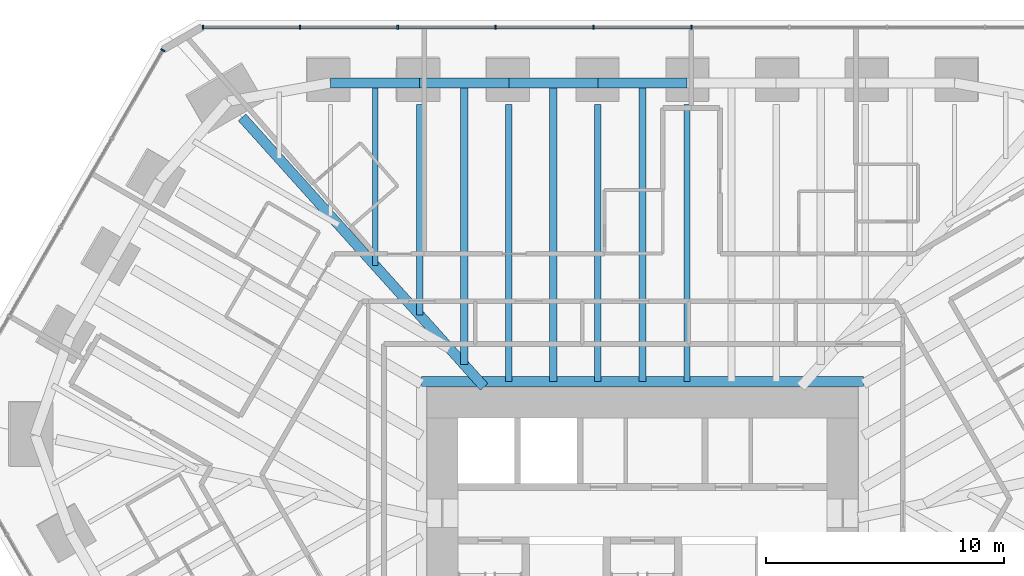
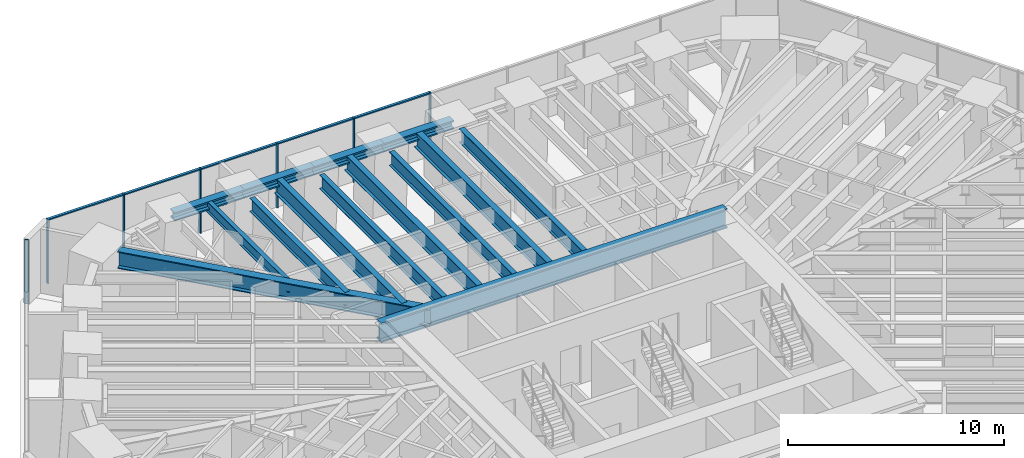
# One storey, part 8 of 17: 14 beams, 12 members, 2 elements without a shape of their own.
"""IFC4 building model written with IfcOpenShell, lengths in metres."""

from ifc_helpers import new_model, si_unit, direction, frame, origin, origin_2d, place, context, subcontext, project, spatial, rectangle, i_section, extrude, material, material_profile, profile_set, type_object, element, aggregate, save


model = new_model("IFC4")

# Units and contexts
model_context = context("Model", 3, precision=1e-05, world=origin(), true_north=direction((0.0, 1.0)))
body_context = subcontext(model_context, "Body", "Model", "MODEL_VIEW")
ifc_project = project(units=[si_unit("LENGTHUNIT", "METRE"), si_unit("AREAUNIT", "SQUARE_METRE"), si_unit("VOLUMEUNIT", "CUBIC_METRE"), si_unit("PLANEANGLEUNIT", "RADIAN"), si_unit("MASSUNIT", "GRAM", prefix="KILO")], contexts=[model_context])

# Site, building, storey
site_placement = place(None, origin())
site = spatial("IfcSite", under=ifc_project, at=site_placement, CompositionType="ELEMENT")
building_placement = place(site_placement, origin())
building = spatial("IfcBuilding", under=site, at=building_placement, Name="Sandreach Pilgrim Tower", CompositionType="ELEMENT")
storey_placement = place(building_placement, frame((0.0, 0.0, 169.0)))
storey = spatial("IfcBuildingStorey", under=building, at=storey_placement, Name="L42", CompositionType="ELEMENT", Elevation=169.0)

# Beams
ifc_material_1 = material(Name="Steel ASTM A913 Grade 65", Category="steel")
ifc_material_profile_1 = material_profile(ifc_material_1, i_section(OverallWidth=0.4267578125, OverallDepth=0.482666015625, WebThickness=0.05126953125, FlangeThickness=0.08154296875, at=origin_2d()), Name="W14X455")
ifc_profile_set_1 = profile_set([ifc_material_profile_1], Name="Steel ASTM A913 Grade 65")
beam_type_1 = type_object("IfcBeamType", Name="Belt truss chord W14X455", PredefinedType="BEAM", material=ifc_profile_set_1)
beam_1_placement = place(storey_placement, frame((-13.089599609375, 20.155517578125, 3.398681640625), z_axis=(1.0, 0.0, 0.0), x_axis=(0.0, 1.0, 0.0)))
element("IfcBeam", 1, at=beam_1_placement, inside=storey, type_object=beam_type_1, Name="BM L42 BTB01", PredefinedType="BEAM", context=body_context, shape_type="SweptSolid", body=[
    extrude(i_section(OverallWidth=0.4267578125, OverallDepth=0.482666015625, WebThickness=0.05126953125, FlangeThickness=0.08154296875, at=origin_2d()), origin(), (0.0, 0.0, 1.0), 3.739990234375),
])
beam_2_placement = place(storey_placement, frame((-9.349609375, 20.155517578125, 3.398681640625), z_axis=(1.0, 0.0, 0.0), x_axis=(0.0, 1.0, 0.0)))
element("IfcBeam", 2, at=beam_2_placement, inside=storey, type_object=beam_type_1, Name="BM L42 BTB02", PredefinedType="BEAM", context=body_context, shape_type="SweptSolid", body=[
    extrude(i_section(OverallWidth=0.4267578125, OverallDepth=0.482666015625, WebThickness=0.05126953125, FlangeThickness=0.08154296875, at=origin_2d()), origin(), (0.0, 0.0, 1.0), 3.73974609375),
])
beam_3_placement = place(storey_placement, frame((-5.60986328125, 20.155517578125, 3.398681640625), z_axis=(1.0, 0.0, 0.0), x_axis=(0.0, 1.0, 0.0)))
element("IfcBeam", 3, at=beam_3_placement, inside=storey, type_object=beam_type_1, Name="BM L42 BTB03", PredefinedType="BEAM", context=body_context, shape_type="SweptSolid", body=[
    extrude(i_section(OverallWidth=0.4267578125, OverallDepth=0.482666015625, WebThickness=0.05126953125, FlangeThickness=0.08154296875, at=origin_2d()), origin(), (0.0, 0.0, 1.0), 3.739990234375),
])
beam_4_placement = place(storey_placement, frame((-1.869873046875, 20.155517578125, 3.398681640625), z_axis=(1.0, 0.0, 0.0), x_axis=(0.0, 1.0, 0.0)))
element("IfcBeam", 4, at=beam_4_placement, inside=storey, type_object=beam_type_1, Name="BM L42 BTB04", PredefinedType="BEAM", context=body_context, shape_type="SweptSolid", body=[
    extrude(i_section(OverallWidth=0.4267578125, OverallDepth=0.482666015625, WebThickness=0.05126953125, FlangeThickness=0.08154296875, at=origin_2d()), origin(), (0.0, 0.0, 1.0), 3.73974609375),
])

# Curtain wall, members
ifc_material_2 = material(Name="Aluminium framed curtain wall", Category="aluminium")
curtain_wall_type = type_object("IfcCurtainWallType", Name="Hotel tower curtain wall", PredefinedType="NOTDEFINED", material=ifc_material_2)
curtain_wall_1_placement = place(storey_placement, origin())
curtain_wall_1 = element("IfcCurtainWall", 5, at=curtain_wall_1_placement, inside=storey, type_object=curtain_wall_type, Name="CW-2 L42 N", PredefinedType="NOTDEFINED")
ifc_material_3 = material(Name="Aluminium extrusion", Category="aluminium")
ifc_material_profile_2 = material_profile(ifc_material_3, rectangle(XDim=0.06494140625, YDim=0.179931640625, at=origin_2d()), Name="CW-2M 65X180")
ifc_profile_set_2 = profile_set([ifc_material_profile_2], Name="Aluminium extrusion")
member_type_1 = type_object("IfcMemberType", Name="CW-2 mullion", PredefinedType="MULLION", material=ifc_profile_set_2)
member_1_placement = place(storey_placement, frame((-18.448974609375, 22.493896484375, 0.0), z_axis=(0.0, 0.0, 1.0), x_axis=(1.0, 0.0, 0.0)))
member_1 = element("IfcMember", 6, at=member_1_placement, type_object=member_type_1, Name="CW-2 mullion 1", PredefinedType="MULLION", context=body_context, shape_type="SweptSolid", body=[
    extrude(rectangle(XDim=0.06494140625, YDim=0.179931640625, at=origin_2d()), origin(), (0.0, 0.0, 1.0), 3.639892578125),
])
member_2_placement = place(storey_placement, frame((-14.37451171875, 22.493896484375, 0.0), z_axis=(0.0, 0.0, 1.0), x_axis=(1.0, 0.0, 0.0)))
member_2 = element("IfcMember", 7, at=member_2_placement, type_object=member_type_1, Name="CW-2 mullion 2", PredefinedType="MULLION", context=body_context, shape_type="SweptSolid", body=[
    extrude(rectangle(XDim=0.06494140625, YDim=0.179931640625, at=origin_2d()), origin(), (0.0, 0.0, 1.0), 3.639892578125),
])
member_3_placement = place(storey_placement, frame((-10.267333984375, 22.493896484375, 0.0), z_axis=(0.0, 0.0, 1.0), x_axis=(1.0, 0.0, 0.0)))
member_3 = element("IfcMember", 8, at=member_3_placement, type_object=member_type_1, Name="CW-2 mullion 3", PredefinedType="MULLION", context=body_context, shape_type="SweptSolid", body=[
    extrude(rectangle(XDim=0.06494140625, YDim=0.179931640625, at=origin_2d()), origin(), (0.0, 0.0, 1.0), 3.639892578125),
])
member_4_placement = place(storey_placement, frame((-6.160400390625, 22.493896484375, 0.0), z_axis=(0.0, 0.0, 1.0), x_axis=(1.0, 0.0, 0.0)))
member_4 = element("IfcMember", 9, at=member_4_placement, type_object=member_type_1, Name="CW-2 mullion 4", PredefinedType="MULLION", context=body_context, shape_type="SweptSolid", body=[
    extrude(rectangle(XDim=0.06494140625, YDim=0.179931640625, at=origin_2d()), origin(), (0.0, 0.0, 1.0), 3.639892578125),
])
member_5_placement = place(storey_placement, frame((-2.053466796875, 22.493896484375, 0.0), z_axis=(0.0, 0.0, 1.0), x_axis=(1.0, 0.0, 0.0)))
member_5 = element("IfcMember", 10, at=member_5_placement, type_object=member_type_1, Name="CW-2 mullion 5", PredefinedType="MULLION", context=body_context, shape_type="SweptSolid", body=[
    extrude(rectangle(XDim=0.06494140625, YDim=0.179931640625, at=origin_2d()), origin(), (0.0, 0.0, 1.0), 3.639892578125),
])
member_6_placement = place(storey_placement, frame((2.053466796875, 22.493896484375, 0.0), z_axis=(0.0, 0.0, 1.0), x_axis=(1.0, 0.0, 0.0)))
member_6 = element("IfcMember", 11, at=member_6_placement, type_object=member_type_1, Name="CW-2 mullion 6", PredefinedType="MULLION", context=body_context, shape_type="SweptSolid", body=[
    extrude(rectangle(XDim=0.06494140625, YDim=0.179931640625, at=origin_2d()), origin(), (0.0, 0.0, 1.0), 3.639892578125),
])

# Curtain wall, member
curtain_wall_2_placement = place(storey_placement, origin())
curtain_wall_2 = element("IfcCurtainWall", 12, at=curtain_wall_2_placement, inside=storey, type_object=curtain_wall_type, Name="CW-2 L42 NW", PredefinedType="NOTDEFINED")
member_7_placement = place(storey_placement, frame((-20.125732421875, 21.525634765625, 0.0), z_axis=(0.0, 0.0, 1.0), x_axis=(0.5, 0.866025403784, 0.0)))
member_7 = element("IfcMember", 13, at=member_7_placement, type_object=member_type_1, Name="CW-2 mullion 5", PredefinedType="MULLION", context=body_context, shape_type="SweptSolid", body=[
    extrude(rectangle(XDim=0.06494140625, YDim=0.179931640625, at=origin_2d()), origin(), (0.0, 0.0, 1.0), 3.639892578125),
])
aggregate(curtain_wall_2, [member_7])

# Member
ifc_material_4 = material(Name="Aluminium extrusion", Category="aluminium")
ifc_material_profile_3 = material_profile(ifc_material_4, rectangle(XDim=0.139892578125, YDim=0.070068359375, at=origin_2d()), Name="CW-2T 140X70")
ifc_profile_set_3 = profile_set([ifc_material_profile_3], Name="Aluminium extrusion")
member_type_2 = type_object("IfcMemberType", Name="CW-2 transom", PredefinedType="USERDEFINED", material=ifc_profile_set_3)
member_8_placement = place(storey_placement, frame((-18.416259765625, 22.493896484375, 3.60498046875), z_axis=(1.0, 0.0, 0.0), x_axis=(0.0, 1.0, 0.0)))
member_8 = element("IfcMember", 14, at=member_8_placement, type_object=member_type_2, Name="CW-2 head transom 1", ObjectType="TRANSOM", PredefinedType="USERDEFINED", context=body_context, shape_type="SweptSolid", body=[
    extrude(rectangle(XDim=0.139892578125, YDim=0.070068359375, at=origin_2d()), origin(), (0.0, 0.0, 1.0), 4.00927734375),
])

member_9_placement = place(storey_placement, frame((-14.341796875, 22.493896484375, 3.60498046875), z_axis=(1.0, 0.0, 0.0), x_axis=(0.0, 1.0, 0.0)))
member_9 = element("IfcMember", 15, at=member_9_placement, type_object=member_type_2, Name="CW-2 head transom 2", ObjectType="TRANSOM", PredefinedType="USERDEFINED", context=body_context, shape_type="SweptSolid", body=[
    extrude(rectangle(XDim=0.139892578125, YDim=0.070068359375, at=origin_2d()), origin(), (0.0, 0.0, 1.0), 4.041748046875),
])

member_10_placement = place(storey_placement, frame((-10.23486328125, 22.493896484375, 3.60498046875), z_axis=(1.0, 0.0, 0.0), x_axis=(0.0, 1.0, 0.0)))
member_10 = element("IfcMember", 16, at=member_10_placement, type_object=member_type_2, Name="CW-2 head transom 3", ObjectType="TRANSOM", PredefinedType="USERDEFINED", context=body_context, shape_type="SweptSolid", body=[
    extrude(rectangle(XDim=0.139892578125, YDim=0.070068359375, at=origin_2d()), origin(), (0.0, 0.0, 1.0), 4.0419921875),
])

member_11_placement = place(storey_placement, frame((-6.1279296875, 22.493896484375, 3.60498046875), z_axis=(1.0, 0.0, 0.0), x_axis=(0.0, 1.0, 0.0)))
member_11 = element("IfcMember", 17, at=member_11_placement, type_object=member_type_2, Name="CW-2 head transom 4", ObjectType="TRANSOM", PredefinedType="USERDEFINED", context=body_context, shape_type="SweptSolid", body=[
    extrude(rectangle(XDim=0.139892578125, YDim=0.070068359375, at=origin_2d()), origin(), (0.0, 0.0, 1.0), 4.0419921875),
])

member_12_placement = place(storey_placement, frame((-2.02099609375, 22.493896484375, 3.60498046875), z_axis=(1.0, 0.0, 0.0), x_axis=(0.0, 1.0, 0.0)))
member_12 = element("IfcMember", 18, at=member_12_placement, type_object=member_type_2, Name="CW-2 head transom 5", ObjectType="TRANSOM", PredefinedType="USERDEFINED", context=body_context, shape_type="SweptSolid", body=[
    extrude(rectangle(XDim=0.139892578125, YDim=0.070068359375, at=origin_2d()), origin(), (0.0, 0.0, 1.0), 4.0419921875),
])

aggregate(curtain_wall_1, [member_1, member_2, member_3, member_4, member_5, member_6, member_8, member_9, member_10, member_11, member_12])

# Beams
ifc_material_5 = material(Name="Steel ASTM A992 Grade 50", Category="steel")
ifc_material_profile_4 = material_profile(ifc_material_5, i_section(OverallWidth=0.424072265625, OverallDepth=1.09228515625, WebThickness=0.04541015625, FlangeThickness=0.08203125, at=origin_2d()), Name="W40X593")
ifc_profile_set_4 = profile_set([ifc_material_profile_4], Name="Steel ASTM A992 Grade 50")
beam_type_2 = type_object("IfcBeamType", Name="Core edge beam W40X593", PredefinedType="BEAM", material=ifc_profile_set_4)
beam_5_placement = place(storey_placement, frame((-9.27197265625, 7.6220703125, 3.093994140625), z_axis=(1.0, 0.0, 0.0), x_axis=(0.0, 1.0, 0.0)))
element("IfcBeam", 19, at=beam_5_placement, inside=storey, type_object=beam_type_2, Name="BM L42 CEN", PredefinedType="BEAM", context=body_context, shape_type="SweptSolid", body=[
    extrude(i_section(OverallWidth=0.424072265625, OverallDepth=1.09228515625, WebThickness=0.04541015625, FlangeThickness=0.08203125, at=origin_2d()), origin(), (0.0, 0.0, 1.0), 18.5439453125),
])
ifc_material_6 = material(Name="Steel ASTM A992 Grade 50", Category="steel")
ifc_material_profile_5 = material_profile(ifc_material_6, i_section(OverallWidth=0.424072265625, OverallDepth=0.965087890625, WebThickness=0.028564453125, FlangeThickness=0.051025390625, at=origin_2d()), Name="W36X361")
ifc_profile_set_5 = profile_set([ifc_material_profile_5], Name="Steel ASTM A992 Grade 50")
beam_type_3 = type_object("IfcBeamType", Name="Corner girder W36X361", PredefinedType="BEAM", material=ifc_profile_set_5)
beam_6_placement = place(storey_placement, frame((-16.799072265625, 18.70849609375, 3.157470703125), z_axis=(0.668112306427, -0.744060445126, 0.0), x_axis=(0.744060445126, 0.668112306427, 0.0)))
element("IfcBeam", 20, at=beam_6_placement, inside=storey, type_object=beam_type_3, Name="BM L42 CG39", PredefinedType="BEAM", context=body_context, shape_type="SweptSolid", body=[
    extrude(i_section(OverallWidth=0.424072265625, OverallDepth=0.965087890625, WebThickness=0.028564453125, FlangeThickness=0.051025390625, at=origin_2d()), origin(), (0.0, 0.0, 1.0), 15.198486328125),
])
ifc_material_7 = material(Name="Steel ASTM A992 Grade 50", Category="steel")
ifc_material_profile_6 = material_profile(ifc_material_7, i_section(OverallWidth=0.23046875, OverallDepth=0.6171875, WebThickness=0.01318359375, FlangeThickness=0.022216796875, at=origin_2d()), Name="W24X94")
ifc_profile_set_6 = profile_set([ifc_material_profile_6], Name="Steel ASTM A992 Grade 50")
beam_type_4 = type_object("IfcBeamType", Name="Floor beam W24X94", PredefinedType="BEAM", material=ifc_profile_set_6)
beam_7_placement = place(storey_placement, frame((-11.2197265625, 20.155517578125, 3.331298828125), z_axis=(0.0, -1.0, 0.0), x_axis=(1.0, 0.0, 0.0)))
element("IfcBeam", 21, at=beam_7_placement, inside=storey, type_object=beam_type_4, Name="BM L42 FM01", PredefinedType="BEAM", context=body_context, shape_type="SweptSolid", body=[
    extrude(i_section(OverallWidth=0.23046875, OverallDepth=0.6171875, WebThickness=0.01318359375, FlangeThickness=0.022216796875, at=origin_2d()), origin(), (0.0, 0.0, 1.0), 7.66064453125),
])
ifc_material_8 = material(Name="Steel ASTM A992 Grade 50", Category="steel")
ifc_material_profile_7 = material_profile(ifc_material_8, i_section(OverallWidth=0.2666015625, OverallDepth=0.761962890625, WebThickness=0.014404296875, FlangeThickness=0.021484375, at=origin_2d()), Name="W30X116")
ifc_profile_set_7 = profile_set([ifc_material_profile_7], Name="Steel ASTM A992 Grade 50")
beam_type_5 = type_object("IfcBeamType", Name="Floor beam W30X116", PredefinedType="BEAM", material=ifc_profile_set_7)
beam_8_placement = place(storey_placement, frame((-9.349609375, 19.255615234375, 3.259033203125), z_axis=(0.0, -1.0, 0.0), x_axis=(1.0, 0.0, 0.0)))
element("IfcBeam", 22, at=beam_8_placement, inside=storey, type_object=beam_type_5, Name="BM L42 F02", PredefinedType="BEAM", context=body_context, shape_type="SweptSolid", body=[
    extrude(i_section(OverallWidth=0.2666015625, OverallDepth=0.761962890625, WebThickness=0.014404296875, FlangeThickness=0.021484375, at=origin_2d()), origin(), (0.0, 0.0, 1.0), 8.84326171875),
])
ifc_material_9 = material(Name="Steel ASTM A992 Grade 50", Category="steel")
ifc_material_profile_8 = material_profile(ifc_material_9, i_section(OverallWidth=0.2666015625, OverallDepth=0.77978515625, WebThickness=0.0166015625, FlangeThickness=0.030029296875, at=origin_2d()), Name="W30X148")
ifc_profile_set_8 = profile_set([ifc_material_profile_8], Name="Steel ASTM A992 Grade 50")
beam_type_6 = type_object("IfcBeamType", Name="Floor beam W30X148", PredefinedType="BEAM", material=ifc_profile_set_8)
for number, where, z_axis, x_axis, name in (
    (23, (-5.60986328125, 19.255615234375, 3.25), (0.0, -1.0, 0.0), (1.0, 0.0, 0.0), "BM L42 F03"),
    (24, (-1.869873046875, 19.255615234375, 3.25), (0.0, -1.0, 0.0), (1.0, 0.0, 0.0), "BM L42 F04"),
    (25, (1.869873046875, 19.255615234375, 3.25), (0.0, -1.0, 0.0), (1.0, 0.0, 0.0), "BM L42 F05"),
):
    element("IfcBeam", number, at=place(storey_placement, frame(where, z_axis=z_axis, x_axis=x_axis)), inside=storey, type_object=beam_type_6, Name=name, PredefinedType="BEAM", context=body_context, shape_type="SweptSolid", body=[
        extrude(i_section(OverallWidth=0.2666015625, OverallDepth=0.77978515625, WebThickness=0.0166015625, FlangeThickness=0.030029296875, at=origin_2d()), origin(), (0.0, 0.0, 1.0), 11.633544921875),
    ])
ifc_material_10 = material(Name="Steel ASTM A992 Grade 50", Category="steel")
ifc_material_profile_9 = material_profile(ifc_material_10, i_section(OverallWidth=0.3046875, OverallDepth=0.914306640625, WebThickness=0.0166015625, FlangeThickness=0.02587890625, at=origin_2d()), Name="W36X160")
ifc_profile_set_9 = profile_set([ifc_material_profile_9], Name="Steel ASTM A992 Grade 50")
beam_type_7 = type_object("IfcBeamType", Name="Floor beam W36X160", PredefinedType="BEAM", material=ifc_profile_set_9)
beam_9_placement = place(storey_placement, frame((-7.479736328125, 20.155517578125, 3.182861328125), z_axis=(0.0, -1.0, 0.0), x_axis=(1.0, 0.0, 0.0)))
element("IfcBeam", 26, at=beam_9_placement, inside=storey, type_object=beam_type_7, Name="BM L42 FM02", PredefinedType="BEAM", context=body_context, shape_type="SweptSolid", body=[
    extrude(i_section(OverallWidth=0.3046875, OverallDepth=0.914306640625, WebThickness=0.0166015625, FlangeThickness=0.02587890625, at=origin_2d()), origin(), (0.0, 0.0, 1.0), 11.82568359375),
])
for number, where, z_axis, x_axis, name in (
    (27, (-3.739990234375, 20.155517578125, 3.182861328125), (0.0, -1.0, 0.0), (1.0, 0.0, 0.0), "BM L42 FM03"),
    (28, (0.0, 20.155517578125, 3.182861328125), (0.0, -1.0, 0.0), (1.0, 0.0, 0.0), "BM L42 FM04"),
):
    element("IfcBeam", number, at=place(storey_placement, frame(where, z_axis=z_axis, x_axis=x_axis)), inside=storey, type_object=beam_type_7, Name=name, PredefinedType="BEAM", context=body_context, shape_type="SweptSolid", body=[
        extrude(i_section(OverallWidth=0.3046875, OverallDepth=0.914306640625, WebThickness=0.0166015625, FlangeThickness=0.02587890625, at=origin_2d()), origin(), (0.0, 0.0, 1.0), 12.533447265625),
    ])

save(model, "model.ifc")
